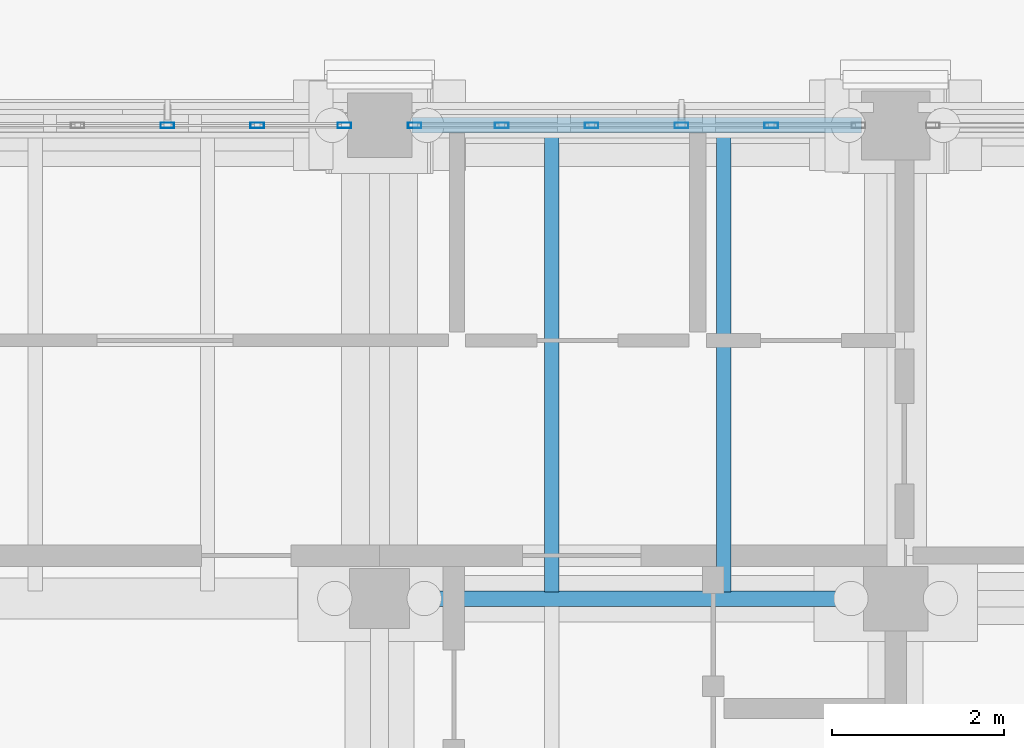
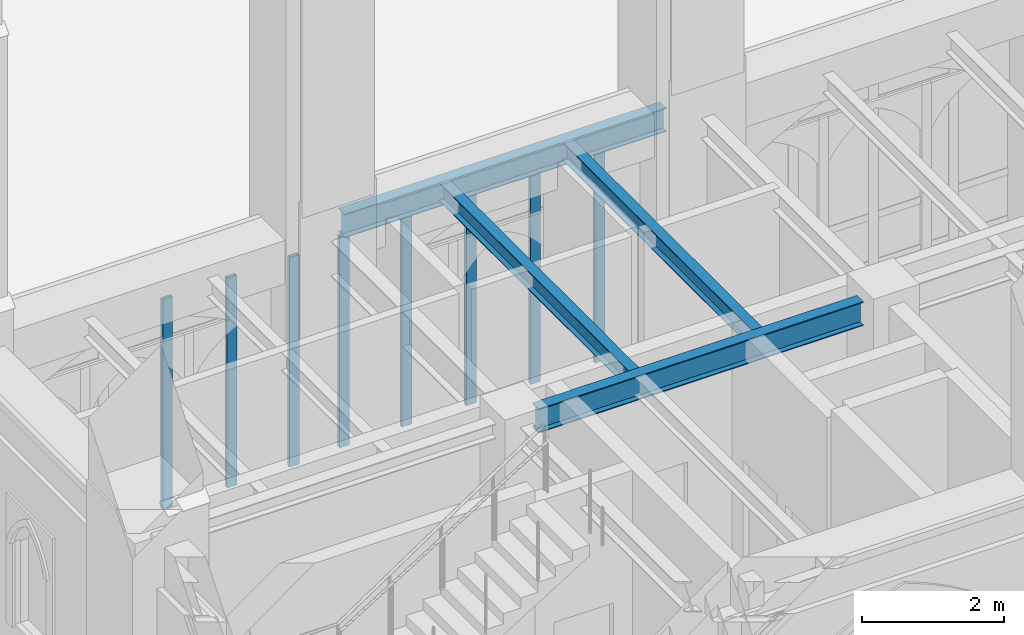
# One storey, part 19 of 135: 8 members, 4 beams, 2 elements without a shape of their own.
"""IFC4 building model written with IfcOpenShell, lengths in metres."""

import ifcopenshell
import ifcopenshell.guid

model = None  # the IFC model being written
_history = None  # IfcOwnerHistory: only IFC2X3 demands one
_inside = {}  # id of a spatial element -> (the spatial element, [elements in it])
_under = {}  # id of a project, library or spatial element -> (it, [spatial elements below it])
_declared = {}  # id of a project -> (the project, [libraries it declares])
_typed = {}  # id of a type object -> (the type object, [elements of that type])
_made_of = {}  # id of a material, layer set ... -> (it, [elements and type objects made of it])


def new_model(schema):
    """Start an empty IFC model of exactly this schema.

    Asked for "IFC4X3", IfcOpenShell would pick the latest addendum, in which some entities
    have other attributes; the version numbers below select the first issue.
    IFC2X3 requires an IfcOwnerHistory on every rooted entity: one is made here for all.
    """
    global model, _history
    if schema == "IFC4X3":
        model = ifcopenshell.file(schema_version=(4, 3, 0, 0))
    else:
        model = ifcopenshell.file(schema=schema)
    _inside.clear()
    _under.clear()
    _declared.clear()
    _typed.clear()
    _made_of.clear()
    _history = None
    if model.schema == "IFC2X3":
        org = make("IfcOrganization", Name="unknown")
        user = make(
            "IfcPersonAndOrganization",
            ThePerson=make("IfcPerson", FamilyName="unknown"),
            TheOrganization=org,
        )
        app = make(
            "IfcApplication",
            ApplicationDeveloper=org,
            Version="unknown",
            ApplicationFullName="unknown",
            ApplicationIdentifier="unknown",
        )
        _history = make(
            "IfcOwnerHistory",
            OwningUser=user,
            OwningApplication=app,
            ChangeAction="ADDED",
            CreationDate=0,
        )
    return model


def make(cls, **values):
    """One entity of the class cls with the attributes given. An attribute that is None is left unset."""
    return model.create_entity(
        cls, **{name: value for name, value in values.items() if value is not None}
    )


def rooted(cls, **values):
    """An entity with a GlobalId (a new one), such as an element, a storey or a relation."""
    return make(cls, GlobalId=ifcopenshell.guid.new(), OwnerHistory=_history, **values)


def si_unit(unit_type, name, prefix=None):
    """IfcSIUnit, for example si_unit("LENGTHUNIT", "METRE", prefix="MILLI")."""
    return make("IfcSIUnit", UnitType=unit_type, Prefix=prefix, Name=name)


def assignment(units):
    """IfcUnitAssignment: the units of a project."""
    return None if units is None else make("IfcUnitAssignment", Units=units)


def point(xyz):
    """IfcCartesianPoint."""
    return None if xyz is None else make("IfcCartesianPoint", Coordinates=xyz)


def direction(xyz):
    """IfcDirection."""
    return None if xyz is None else make("IfcDirection", DirectionRatios=xyz)


def frame(location, z_axis=None, x_axis=None):
    """IfcAxis2Placement3D, a coordinate frame: its origin and axes. An axis left out is left unset."""
    return make(
        "IfcAxis2Placement3D",
        Location=point(location),
        Axis=direction(z_axis),
        RefDirection=direction(x_axis),
    )


def frame_2d(location, x_axis=None):
    """IfcAxis2Placement2D, a coordinate frame in the plane: its origin and x axis."""
    return make(
        "IfcAxis2Placement2D", Location=point(location), RefDirection=direction(x_axis)
    )


def origin():
    """The frame at (0, 0, 0) with its axes left unset."""
    return frame((0.0, 0.0, 0.0))


def origin_2d():
    """The frame at (0, 0) in the plane with its x axis left unset."""
    return frame_2d((0.0, 0.0))


def place(relative_to, where):
    """IfcLocalPlacement: puts the frame where relative to a parent placement (None: the world)."""
    return make(
        "IfcLocalPlacement", PlacementRelTo=relative_to, RelativePlacement=where
    )


def context(
    kind, dimensions, precision=None, world=None, true_north=None, identifier=None
):
    """IfcGeometricRepresentationContext, for example the 3D "Model" context."""
    return make(
        "IfcGeometricRepresentationContext",
        ContextIdentifier=identifier,
        ContextType=kind,
        CoordinateSpaceDimension=dimensions,
        Precision=precision,
        WorldCoordinateSystem=world,
        TrueNorth=true_north,
    )


def subcontext(parent, identifier, kind, view, scale=None):
    """IfcGeometricRepresentationSubContext, for example "Body" below "Model"."""
    return make(
        "IfcGeometricRepresentationSubContext",
        ContextIdentifier=identifier,
        ContextType=kind,
        ParentContext=parent,
        TargetScale=scale,
        TargetView=view,
    )


def project(units=None, contexts=None):
    """IfcProject with its units and contexts."""
    return rooted(
        "IfcProject",
        Name="project",
        RepresentationContexts=contexts,
        UnitsInContext=assignment(units),
    )


def spatial(cls, under=None, at=None, **own):
    """A site, building, storey or space (cls), placed at a placement, below another one or the project."""
    s = rooted(cls, ObjectPlacement=at, **own)
    if under is not None:
        _under.setdefault(under.id(), (under, []))[1].append(s)
    return s


def profile(cls, at=None, kind="AREA", **sizes):
    """A parametric profile (cls). Its sizes go by their IFC names, for example OverallWidth=200.0."""
    return make(cls, ProfileType=kind, Position=at, **sizes)


def hollow_rectangle(**sizes):
    """IfcRectangleHollowProfileDef."""
    return profile("IfcRectangleHollowProfileDef", **sizes)


def i_section(**sizes):
    """IfcIShapeProfileDef."""
    return profile("IfcIShapeProfileDef", **sizes)


def extrude(swept, where, along, depth):
    """IfcExtrudedAreaSolid: the profile swept, set in the frame where, extruded along a direction by depth."""
    return make(
        "IfcExtrudedAreaSolid",
        SweptArea=swept,
        Position=where,
        ExtrudedDirection=direction(along),
        Depth=depth,
    )


def shape(context_of_items, identifier, shape_type, items):
    """IfcShapeRepresentation: the items that make up one representation, for example the "Body"."""
    return make(
        "IfcShapeRepresentation",
        ContextOfItems=context_of_items,
        RepresentationIdentifier=identifier,
        RepresentationType=shape_type,
        Items=items,
    )


def material(Name=None, Category=None):
    """IfcMaterial."""
    return make("IfcMaterial", Name=Name, Category=Category)


def layer(
    of_material, thickness, ventilated=None, Name=None, Category=None, Priority=None
):
    """IfcMaterialLayer: one layer of a wall or slab, of a material (None: an air gap)."""
    return make(
        "IfcMaterialLayer",
        Material=of_material,
        LayerThickness=thickness,
        IsVentilated=ventilated,
        Name=Name,
        Category=Category,
        Priority=Priority,
    )


def layer_set(layers, Name=None):
    """IfcMaterialLayerSet."""
    return make("IfcMaterialLayerSet", MaterialLayers=layers, LayerSetName=Name)


def material_profile(
    of_material, cross_section, Name=None, Category=None, Priority=None
):
    """IfcMaterialProfile: a cross section and its material."""
    return make(
        "IfcMaterialProfile",
        Name=Name,
        Material=of_material,
        Profile=cross_section,
        Priority=Priority,
        Category=Category,
    )


def profile_set(profiles, Name=None, composite=None):
    """IfcMaterialProfileSet."""
    return make(
        "IfcMaterialProfileSet",
        Name=Name,
        MaterialProfiles=profiles,
        CompositeProfile=composite,
    )


def made_of(thing, what):
    """Note that an element or type object is made of a material, layer set ...; save() writes the relation."""
    if what is not None:
        _made_of.setdefault(what.id(), (what, []))[1].append(thing)
    return thing


def type_object(cls, material=None, **own):
    """A type object (cls), such as IfcWallType, which elements share."""
    return made_of(rooted(cls, **own), material)


def element(
    cls,
    number,
    at=None,
    inside=None,
    cuts=None,
    type_object=None,
    material=None,
    context=None,
    identifier="Body",
    shape_type=None,
    held_by="IfcProductDefinitionShape",
    body=None,
    shapes=None,
    **own,
):
    """One element of the class cls, such as IfcWall. Its Tag is "e" and its number.

    at: its placement. inside: the storey or other place that contains it. cuts: it is an
    opening in that element (IfcRelVoidsElement). A single representation is given by context,
    identifier, shape_type and body (its items); several are given by shapes. held_by: the class
    of the entity that holds the representations. save() writes the other relations.
    """
    e = rooted(cls, Tag="e%d" % number, ObjectPlacement=at, **own)
    if body is not None:
        shapes = [shape(context, identifier, shape_type, body)]
    if shapes is not None:
        e.Representation = make(held_by, Representations=shapes)
    if inside is not None:
        _inside.setdefault(inside.id(), (inside, []))[1].append(e)
    if cuts is not None:
        rooted(
            "IfcRelVoidsElement", RelatingBuildingElement=cuts, RelatedOpeningElement=e
        )
    if type_object is not None:
        _typed.setdefault(type_object.id(), (type_object, []))[1].append(e)
    return made_of(e, material)


def aggregate(whole, parts):
    """IfcRelAggregates: a whole, such as a stair, and the parts it consists of."""
    return rooted("IfcRelAggregates", RelatingObject=whole, RelatedObjects=parts)


def save(model, path):
    """Write the relations noted so far, then the file.

    IfcRelAggregates (storeys below a building ...), IfcRelContainedInSpatialStructure (elements
    in a storey), IfcRelDefinesByType, IfcRelAssociatesMaterial and IfcRelDeclares: one each for
    every whole, place, type object, material and project.
    """
    for whole, parts in _under.values():
        aggregate(whole, parts)
    for where, things in _inside.values():
        rooted(
            "IfcRelContainedInSpatialStructure",
            RelatedElements=things,
            RelatingStructure=where,
        )
    for kind, things in _typed.values():
        rooted("IfcRelDefinesByType", RelatedObjects=things, RelatingType=kind)
    for what, things in _made_of.values():
        rooted("IfcRelAssociatesMaterial", RelatedObjects=things, RelatingMaterial=what)
    for by, libraries in _declared.values():
        rooted("IfcRelDeclares", RelatingContext=by, RelatedDefinitions=libraries)
    model.write(path)


model = new_model("IFC4")

# Units and contexts
model_context = context("Model", 3, precision=1e-05, world=origin(), true_north=direction((0.0, 1.0)))
body_context = subcontext(model_context, "Body", "Model", "MODEL_VIEW")
ifc_project = project(units=[si_unit("LENGTHUNIT", "METRE"), si_unit("AREAUNIT", "SQUARE_METRE"), si_unit("VOLUMEUNIT", "CUBIC_METRE"), si_unit("PLANEANGLEUNIT", "RADIAN"), si_unit("MASSUNIT", "GRAM", prefix="KILO")], contexts=[model_context])

# Site, building, storey
site_placement = place(None, origin())
site = spatial("IfcSite", under=ifc_project, at=site_placement, CompositionType="ELEMENT")
building_placement = place(site_placement, origin())
building = spatial("IfcBuilding", under=site, at=building_placement, Name="Cumevento Cable Car Station", CompositionType="ELEMENT")
storey_placement = place(building_placement, origin())
storey = spatial("IfcBuildingStorey", under=building, at=storey_placement, Name="L01", CompositionType="ELEMENT", Elevation=0.0)

# Curtain wall, members
ifc_material_1 = material(Name="Anodised Bronze Aluminium AW-6063-T6", Category="aluminium")
ifc_layer_1 = layer(ifc_material_1, 0.166015625)
ifc_layer_set_1 = layer_set([ifc_layer_1], Name="Anodised Bronze Aluminium AW-6063-T6")
curtain_wall_type_1 = type_object("IfcCurtainWallType", Name="Lancet Curtain Wall CW-02 1090", PredefinedType="NOTDEFINED", material=ifc_layer_set_1)
curtain_wall_1_placement = place(storey_placement, origin())
curtain_wall_1 = element("IfcCurtainWall", 1, at=curtain_wall_1_placement, inside=storey, type_object=curtain_wall_type_1, Name="Lancet Curtain Wall CW-02 L01 #1", PredefinedType="NOTDEFINED")
ifc_material_2 = material(Name="Anodised Bronze Aluminium AW-6063-T6", Category="aluminium")
ifc_material_profile_1 = material_profile(ifc_material_2, hollow_rectangle(XDim=0.06494140625, YDim=0.159912109375, WallThickness=0.00390625, at=origin_2d()), Name="ALUM65x160x4")
ifc_profile_set_1 = profile_set([ifc_material_profile_1], Name="Anodised Bronze Aluminium AW-6063-T6")
member_type = type_object("IfcMemberType", Name="Curtain Mullion CWM-01 ALUM65x160x4", PredefinedType="MULLION", material=ifc_profile_set_1)
member_1_placement = place(storey_placement, frame((25.534912109375, 15.0, 0.2099609375), z_axis=(0.0, 0.0, 1.0), x_axis=(0.0, 1.0, 0.0)))
member_1 = element("IfcMember", 2, at=member_1_placement, type_object=member_type, Name="CW-02 mullion 4", PredefinedType="MULLION", context=body_context, shape_type="SweptSolid", body=[
    extrude(hollow_rectangle(XDim=0.06494140625, YDim=0.159912109375, WallThickness=0.00390625, at=origin_2d()), origin(), (0.0, 0.0, 1.0), 3.59912109375),
])
member_2_placement = place(storey_placement, frame((26.580078125, 15.0, 0.2099609375), z_axis=(0.0, 0.0, 1.0), x_axis=(0.0, 1.0, 0.0)))
member_2 = element("IfcMember", 3, at=member_2_placement, type_object=member_type, Name="CW-02 mullion 5", PredefinedType="MULLION", context=body_context, shape_type="SweptSolid", body=[
    extrude(hollow_rectangle(XDim=0.06494140625, YDim=0.159912109375, WallThickness=0.00390625, at=origin_2d()), origin(), (0.0, 0.0, 1.0), 3.59912109375),
])
member_3_placement = place(storey_placement, frame((27.592529296875, 15.0, 0.2099609375), z_axis=(0.0, 0.0, 1.0), x_axis=(0.0, 1.0, 0.0)))
member_3 = element("IfcMember", 4, at=member_3_placement, type_object=member_type, Name="CW-02 mullion 6", PredefinedType="MULLION", context=body_context, shape_type="SweptSolid", body=[
    extrude(hollow_rectangle(XDim=0.06494140625, YDim=0.159912109375, WallThickness=0.00390625, at=origin_2d()), origin(), (0.0, 0.0, 1.0), 3.59912109375),
])
aggregate(curtain_wall_1, [member_1, member_2, member_3])

ifc_material_3 = material(Name="Anodised Bronze Aluminium AW-6063-T6", Category="aluminium")
ifc_layer_2 = layer(ifc_material_3, 0.172119140625)
ifc_layer_set_2 = layer_set([ifc_layer_2], Name="Anodised Bronze Aluminium AW-6063-T6")
curtain_wall_type_2 = type_object("IfcCurtainWallType", Name="Lancet Curtain Wall CW-03 1130", PredefinedType="NOTDEFINED", material=ifc_layer_set_2)
curtain_wall_2_placement = place(storey_placement, origin())
curtain_wall_2 = element("IfcCurtainWall", 5, at=curtain_wall_2_placement, inside=storey, type_object=curtain_wall_type_2, Name="Lancet Curtain Wall CW-03 L01 #2", PredefinedType="NOTDEFINED")
member_4_placement = place(storey_placement, frame((28.407470703125, 15.0, 0.260009765625), z_axis=(0.0, 0.0, 1.0), x_axis=(0.0, 1.0, 0.0)))
member_4 = element("IfcMember", 6, at=member_4_placement, type_object=member_type, Name="CW-03 mullion 1", PredefinedType="MULLION", context=body_context, shape_type="SweptSolid", body=[
    extrude(hollow_rectangle(XDim=0.06494140625, YDim=0.159912109375, WallThickness=0.00390625, at=origin_2d()), origin(), (0.0, 0.0, 1.0), 3.62109375),
])
member_5_placement = place(storey_placement, frame((29.419921875, 15.0, 0.260009765625), z_axis=(0.0, 0.0, 1.0), x_axis=(0.0, 1.0, 0.0)))
member_5 = element("IfcMember", 7, at=member_5_placement, type_object=member_type, Name="CW-03 mullion 2", PredefinedType="MULLION", context=body_context, shape_type="SweptSolid", body=[
    extrude(hollow_rectangle(XDim=0.06494140625, YDim=0.159912109375, WallThickness=0.00390625, at=origin_2d()), origin(), (0.0, 0.0, 1.0), 3.62109375),
])
member_6_placement = place(storey_placement, frame((30.465087890625, 15.0, 0.260009765625), z_axis=(0.0, 0.0, 1.0), x_axis=(0.0, 1.0, 0.0)))
member_6 = element("IfcMember", 8, at=member_6_placement, type_object=member_type, Name="CW-03 mullion 3", PredefinedType="MULLION", context=body_context, shape_type="SweptSolid", body=[
    extrude(hollow_rectangle(XDim=0.06494140625, YDim=0.159912109375, WallThickness=0.00390625, at=origin_2d()), origin(), (0.0, 0.0, 1.0), 3.62109375),
])
member_7_placement = place(storey_placement, frame((31.510009765625, 15.0, 0.260009765625), z_axis=(0.0, 0.0, 1.0), x_axis=(0.0, 1.0, 0.0)))
member_7 = element("IfcMember", 9, at=member_7_placement, type_object=member_type, Name="CW-03 mullion 4", PredefinedType="MULLION", context=body_context, shape_type="SweptSolid", body=[
    extrude(hollow_rectangle(XDim=0.06494140625, YDim=0.159912109375, WallThickness=0.00390625, at=origin_2d()), origin(), (0.0, 0.0, 1.0), 3.62109375),
])
member_8_placement = place(storey_placement, frame((32.554931640625, 15.0, 0.260009765625), z_axis=(0.0, 0.0, 1.0), x_axis=(0.0, 1.0, 0.0)))
member_8 = element("IfcMember", 10, at=member_8_placement, type_object=member_type, Name="CW-03 mullion 5", PredefinedType="MULLION", context=body_context, shape_type="SweptSolid", body=[
    extrude(hollow_rectangle(XDim=0.06494140625, YDim=0.159912109375, WallThickness=0.00390625, at=origin_2d()), origin(), (0.0, 0.0, 1.0), 3.62109375),
])
aggregate(curtain_wall_2, [member_4, member_5, member_6, member_7, member_8])

# Beams
ifc_material_4 = material(Name="Steel ASTM A572 Grade 50", Category="steel")
ifc_material_profile_2 = material_profile(ifc_material_4, i_section(OverallWidth=0.179931640625, OverallDepth=0.4130859375, WebThickness=0.009765625, FlangeThickness=0.01611328125, at=origin_2d()), Name="W410x74.0")
ifc_profile_set_2 = profile_set([ifc_material_profile_2], Name="Steel ASTM A572 Grade 50")
beam_type_1 = type_object("IfcBeamType", Name="Structural Beam BM-09 W410x74.0", PredefinedType="BEAM", material=ifc_profile_set_2)
beam_1_placement = place(storey_placement, frame((28.35009765625, 9.5, 4.08154296875), z_axis=(1.0, 0.0, 0.0), x_axis=(0.0, 1.0, 0.0)))
element("IfcBeam", 11, at=beam_1_placement, inside=storey, type_object=beam_type_1, Name="Beam BM-09 L01 #6", PredefinedType="BEAM", context=body_context, shape_type="SweptSolid", body=[
    extrude(i_section(OverallWidth=0.179931640625, OverallDepth=0.4130859375, WebThickness=0.009765625, FlangeThickness=0.01611328125, at=origin_2d()), origin(), (0.0, 0.0, 1.0), 5.27490234375),
])
ifc_material_5 = material(Name="Steel ASTM A572 Grade 50", Category="steel")
ifc_material_profile_3 = material_profile(ifc_material_5, i_section(OverallWidth=0.1669921875, OverallDepth=0.31689453125, WebThickness=0.007568359375, FlangeThickness=0.01318359375, at=origin_2d()), Name="W310x52.0")
ifc_profile_set_3 = profile_set([ifc_material_profile_3], Name="Steel ASTM A572 Grade 50")
beam_type_2 = type_object("IfcBeamType", Name="Structural Joist JS-02 W310x52.0", PredefinedType="JOIST", material=ifc_profile_set_3)
for number, where, z_axis, x_axis, name in (
    (12, (30.0, 9.577880859375, 4.12939453125), (0.0, 1.0, 0.0), (-1.0, 0.0, 0.0), "Composite Floor Joist JS-02 L01 #307"),
    (13, (32.0, 9.577880859375, 4.12939453125), (0.0, 1.0, 0.0), (-1.0, 0.0, 0.0), "Composite Floor Joist JS-02 L01 #308"),
):
    element("IfcBeam", number, at=place(storey_placement, frame(where, z_axis=z_axis, x_axis=x_axis)), inside=storey, type_object=beam_type_2, Name=name, PredefinedType="JOIST", context=body_context, shape_type="SweptSolid", body=[
        extrude(i_section(OverallWidth=0.1669921875, OverallDepth=0.31689453125, WebThickness=0.007568359375, FlangeThickness=0.01318359375, at=origin_2d()), origin(), (0.0, 0.0, 1.0), 5.34521484375),
    ])
ifc_material_6 = material(Name="Steel ASTM A572 Grade 50", Category="steel")
ifc_material_profile_4 = material_profile(ifc_material_6, i_section(OverallWidth=0.177978515625, OverallDepth=0.406982421875, WebThickness=0.0078125, FlangeThickness=0.0126953125, at=origin_2d()), Name="W410x60.0")
ifc_profile_set_4 = profile_set([ifc_material_profile_4], Name="Steel ASTM A572 Grade 50")
beam_type_3 = type_object("IfcBeamType", Name="Structural Spandrel SP-01 W410x60.0", PredefinedType="SPANDREL", material=ifc_profile_set_4)
beam_2_placement = place(storey_placement, frame((28.375, 15.0, 4.08447265625), z_axis=(1.0, 0.0, 0.0), x_axis=(0.0, 1.0, 0.0)))
element("IfcBeam", 14, at=beam_2_placement, inside=storey, type_object=beam_type_3, Name="Beam SP-01 L01 #10", PredefinedType="SPANDREL", context=body_context, shape_type="SweptSolid", body=[
    extrude(i_section(OverallWidth=0.177978515625, OverallDepth=0.406982421875, WebThickness=0.0078125, FlangeThickness=0.0126953125, at=origin_2d()), origin(), (0.0, 0.0, 1.0), 5.22509765625),
])

save(model, "model.ifc")
